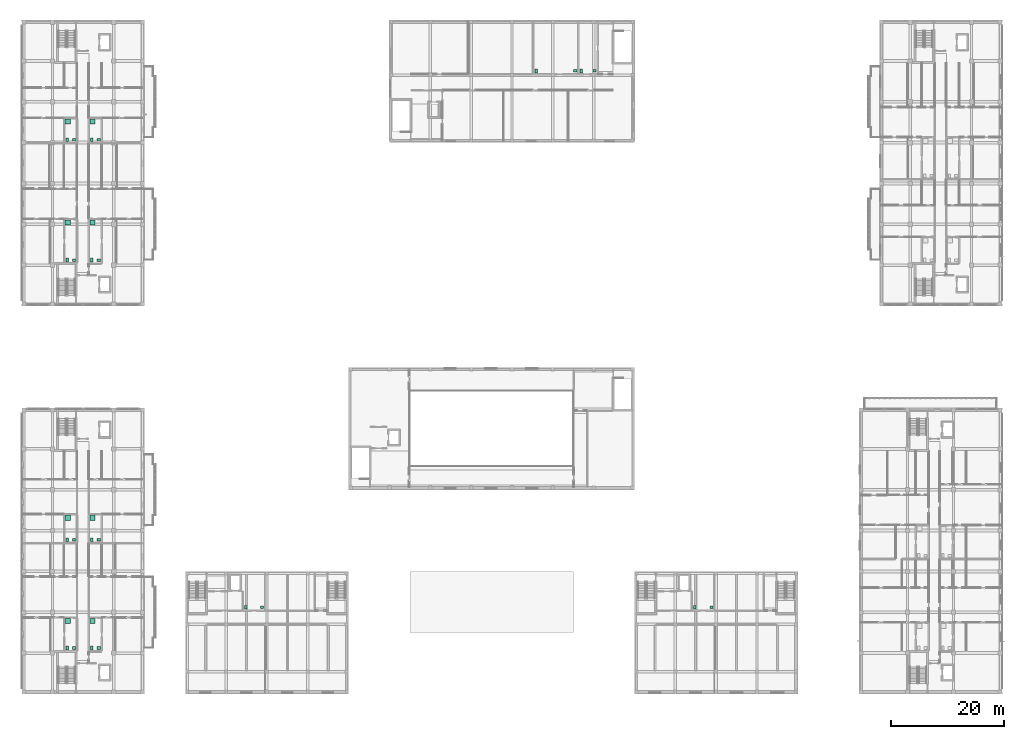
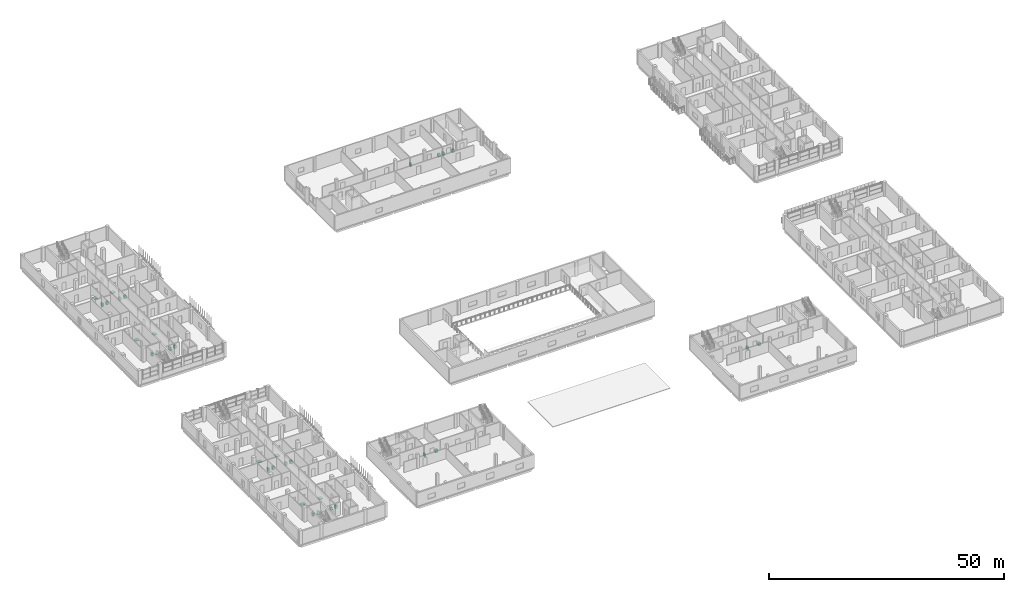
# One storey, part 72 of 73: 32 sanitary terminals.
"""IFC4 building model written with IfcOpenShell, lengths in metres."""

from ifc_helpers import new_model, si_unit, derived_unit, direction, frame, origin, origin_2d, place, context, subcontext, project, spatial, rectangle, extrude, material, type_object, element, save


model = new_model("IFC4")

# Units and contexts
model_context = context("Model", 3, precision=1e-05, world=origin(), true_north=direction((0.0, 1.0)))
body_context = subcontext(model_context, "Body", "Model", "MODEL_VIEW")
ifc_project = project(units=[si_unit("LENGTHUNIT", "METRE"), si_unit("AREAUNIT", "SQUARE_METRE"), si_unit("VOLUMEUNIT", "CUBIC_METRE"), si_unit("PLANEANGLEUNIT", "RADIAN"), si_unit("MASSUNIT", "GRAM", prefix="KILO"), derived_unit("THERMALTRANSMITTANCEUNIT", [(si_unit("MASSUNIT", "GRAM", prefix="KILO"), 1), (si_unit("TIMEUNIT", "SECOND"), -3), (si_unit("THERMODYNAMICTEMPERATUREUNIT", "KELVIN"), -1)])], contexts=[model_context])

# Site, building, storey
site_placement = place(None, origin())
site = spatial("IfcSite", under=ifc_project, at=site_placement, CompositionType="ELEMENT")
building_placement = place(site_placement, origin())
building = spatial("IfcBuilding", under=site, at=building_placement, Name="Ochrekiln Boulevard Commons", CompositionType="ELEMENT")
storey_placement = place(building_placement, frame((0.0, 0.0, 4.89990234375)))
storey = spatial("IfcBuildingStorey", under=building, at=storey_placement, Name="L01", CompositionType="ELEMENT", Elevation=4.89990234375)

# Sanitary terminals
ifc_material = material(Name="Vitreous china sanitaryware")
sanitary_terminal_type_1 = type_object("IfcSanitaryTerminalType", Name="SAN-BAS", PredefinedType="WASHHANDBASIN", material=ifc_material)
for number, where, z_axis, x_axis, name in (
    (1, (9.169921875, 76.5, 0.0), (0.0, 0.0, 1.0), (1.0, 0.0, 0.0), "L01 Washhand Basin Fixture"),
    (2, (9.169921875, 97.7099609375, 0.0), (0.0, 0.0, 1.0), (1.0, 0.0, 0.0), "L01 Washhand Basin Fixture"),
    (3, (13.530029296875, 76.5, 0.0), (0.0, 0.0, 1.0), (1.0, 0.0, 0.0), "L01 Washhand Basin Fixture"),
    (4, (13.530029296875, 97.7099609375, 0.0), (0.0, 0.0, 1.0), (1.0, 0.0, 0.0), "L01 Washhand Basin Fixture"),
    (5, (9.169921875, 8.10009765625, 0.0), (0.0, 0.0, 1.0), (1.0, 0.0, 0.0), "L01 Washhand Basin Fixture"),
    (6, (9.169921875, 27.197998046875, 0.0), (0.0, 0.0, 1.0), (1.0, 0.0, 0.0), "L01 Washhand Basin Fixture"),
    (7, (13.530029296875, 8.10009765625, 0.0), (0.0, 0.0, 1.0), (1.0, 0.0, 0.0), "L01 Washhand Basin Fixture"),
    (8, (13.530029296875, 27.197998046875, 0.0), (0.0, 0.0, 1.0), (1.0, 0.0, 0.0), "L01 Washhand Basin Fixture"),
    (9, (97.550048828125, 109.85009765625, 0.0), (0.0, 0.0, 1.0), (1.0, 0.0, 0.0), "L01 Washhand Basin Fixture"),
    (10, (100.969970703125, 109.85009765625, 0.0), (0.0, 0.0, 1.0), (1.0, 0.0, 0.0), "L01 Washhand Basin Fixture"),
    (11, (42.35009765625, 15.280029296875, 0.0), (0.0, 0.0, 1.0), (1.0, 0.0, 0.0), "L01 Washhand Basin Fixture"),
    (12, (121.550048828125, 15.280029296875, 0.0), (0.0, 0.0, 1.0), (1.0, 0.0, 0.0), "L01 Washhand Basin Fixture"),
):
    element("IfcSanitaryTerminal", number, at=place(storey_placement, frame(where, z_axis=z_axis, x_axis=x_axis)), inside=storey, type_object=sanitary_terminal_type_1, Name=name, PredefinedType="WASHHANDBASIN", context=body_context, shape_type="SweptSolid", body=[
        extrude(rectangle(XDim=0.550048828125, YDim=0.4599609375, at=origin_2d()), origin(), (0.0, 0.0, 1.0), 0.840087890625),
    ])
sanitary_terminal_type_2 = type_object("IfcSanitaryTerminalType", Name="SAN-SHW", PredefinedType="SHOWER", material=ifc_material)
for number, where, z_axis, x_axis, name in (
    (13, (8.070068359375, 83.1201171875, 0.0), (0.0, 0.0, 1.0), (1.0, 0.0, 0.0), "L01 Shower Receptor"),
    (14, (8.070068359375, 100.9169921875, 0.0), (0.0, 0.0, 1.0), (1.0, 0.0, 0.0), "L01 Shower Receptor"),
    (15, (12.429931640625, 83.1201171875, 0.0), (0.0, 0.0, 1.0), (1.0, 0.0, 0.0), "L01 Shower Receptor"),
    (16, (12.429931640625, 100.9169921875, 0.0), (0.0, 0.0, 1.0), (1.0, 0.0, 0.0), "L01 Shower Receptor"),
    (17, (8.070068359375, 12.8349609375, 0.0), (0.0, 0.0, 1.0), (1.0, 0.0, 0.0), "L01 Shower Receptor"),
    (18, (8.070068359375, 31.06005859375, 0.0), (0.0, 0.0, 1.0), (1.0, 0.0, 0.0), "L01 Shower Receptor"),
    (19, (12.429931640625, 12.8349609375, 0.0), (0.0, 0.0, 1.0), (1.0, 0.0, 0.0), "L01 Shower Receptor"),
    (20, (12.429931640625, 31.06005859375, 0.0), (0.0, 0.0, 1.0), (1.0, 0.0, 0.0), "L01 Shower Receptor"),
):
    element("IfcSanitaryTerminal", number, at=place(storey_placement, frame(where, z_axis=z_axis, x_axis=x_axis)), inside=storey, type_object=sanitary_terminal_type_2, Name=name, PredefinedType="SHOWER", context=body_context, shape_type="SweptSolid", body=[
        extrude(rectangle(XDim=0.89990234375, YDim=0.89990234375, at=origin_2d()), origin(), (0.0, 0.0, 1.0), 0.1201171875),
    ])
sanitary_terminal_type_3 = type_object("IfcSanitaryTerminalType", Name="SAN-WC", PredefinedType="TOILETPAN", material=ifc_material)
for number, where, z_axis, x_axis, name in (
    (21, (7.969970703125, 76.5, 0.0), (0.0, 0.0, 1.0), (1.0, 0.0, 0.0), "L01 Water Closet Fixture"),
    (22, (7.969970703125, 97.7099609375, 0.0), (0.0, 0.0, 1.0), (1.0, 0.0, 0.0), "L01 Water Closet Fixture"),
    (23, (12.330078125, 76.5, 0.0), (0.0, 0.0, 1.0), (1.0, 0.0, 0.0), "L01 Water Closet Fixture"),
    (24, (12.330078125, 97.7099609375, 0.0), (0.0, 0.0, 1.0), (1.0, 0.0, 0.0), "L01 Water Closet Fixture"),
    (25, (7.969970703125, 8.10009765625, 0.0), (0.0, 0.0, 1.0), (1.0, 0.0, 0.0), "L01 Water Closet Fixture"),
    (26, (7.969970703125, 27.197998046875, 0.0), (0.0, 0.0, 1.0), (1.0, 0.0, 0.0), "L01 Water Closet Fixture"),
    (27, (12.330078125, 8.10009765625, 0.0), (0.0, 0.0, 1.0), (1.0, 0.0, 0.0), "L01 Water Closet Fixture"),
    (28, (12.330078125, 27.197998046875, 0.0), (0.0, 0.0, 1.0), (1.0, 0.0, 0.0), "L01 Water Closet Fixture"),
    (29, (90.64990234375, 109.85009765625, 0.0), (0.0, 0.0, 1.0), (1.0, 0.0, 0.0), "L01 Water Closet Fixture"),
    (30, (98.6298828125, 109.85009765625, 0.0), (0.0, 0.0, 1.0), (1.0, 0.0, 0.0), "L01 Water Closet Fixture"),
    (31, (39.449951171875, 15.280029296875, 0.0), (0.0, 0.0, 1.0), (1.0, 0.0, 0.0), "L01 Water Closet Fixture"),
    (32, (118.64990234375, 15.280029296875, 0.0), (0.0, 0.0, 1.0), (1.0, 0.0, 0.0), "L01 Water Closet Fixture"),
):
    element("IfcSanitaryTerminal", number, at=place(storey_placement, frame(where, z_axis=z_axis, x_axis=x_axis)), inside=storey, type_object=sanitary_terminal_type_3, Name=name, PredefinedType="TOILETPAN", context=body_context, shape_type="SweptSolid", body=[
        extrude(rectangle(XDim=0.419921875, YDim=0.679931640625, at=origin_2d()), origin(), (0.0, 0.0, 1.0), 0.780029296875),
    ])

save(model, "model.ifc")
